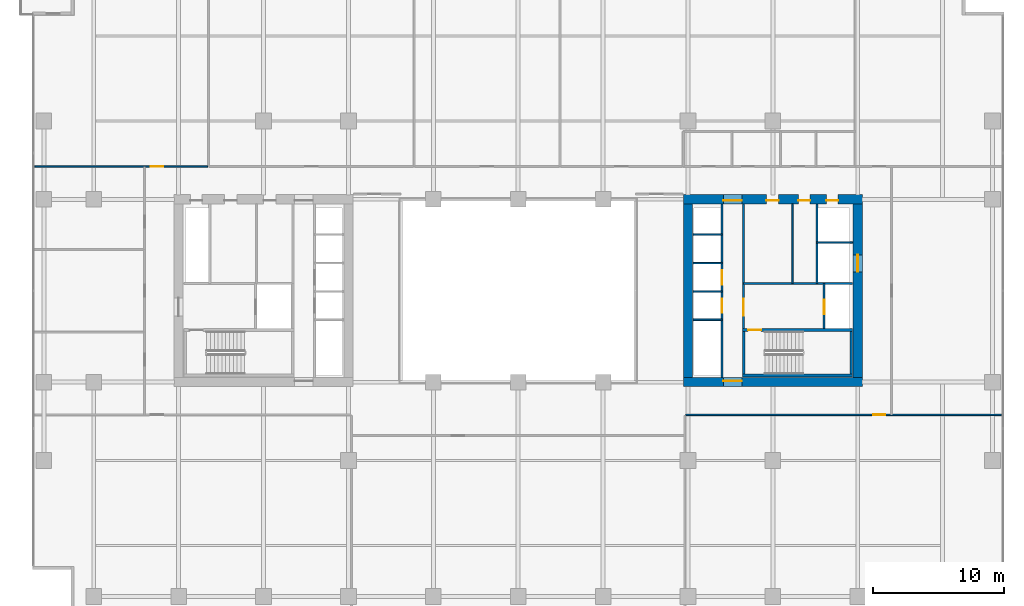
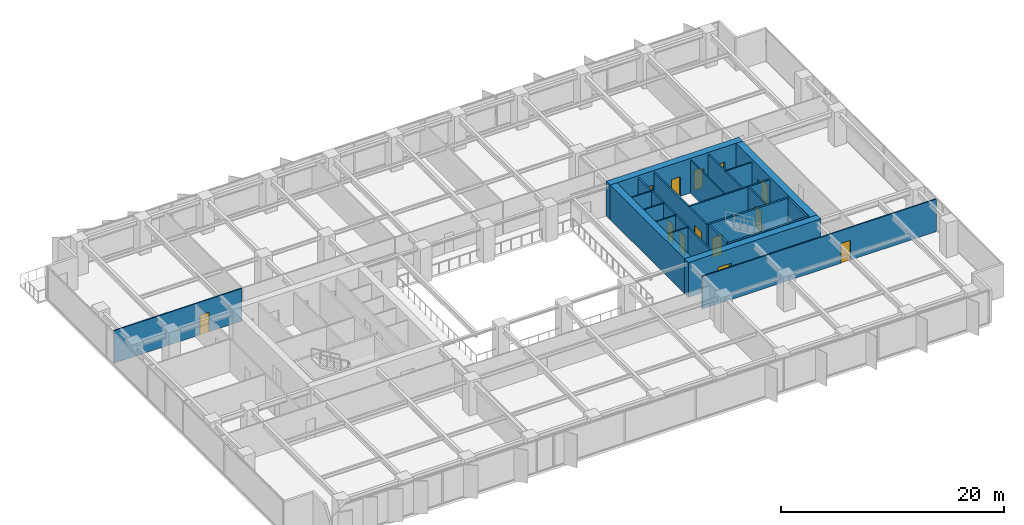
# One storey, part 14 of 20: 21 walls, 13 doors, 13 openings.
"""IFC4 building model written with IfcOpenShell, lengths in metres."""

from ifc_helpers import new_model, si_unit, direction, frame, frame_2d, origin, place, context, subcontext, project, spatial, rectangle, extrude, material, layer, layer_set, type_object, element, fill, save


model = new_model("IFC4")

# Units and contexts
model_context = context("Model", 3, precision=1e-05, world=origin(), true_north=direction((0.0, 1.0)))
body_context = subcontext(model_context, "Body", "Model", "MODEL_VIEW")
ifc_project = project(units=[si_unit("LENGTHUNIT", "METRE"), si_unit("AREAUNIT", "SQUARE_METRE"), si_unit("VOLUMEUNIT", "CUBIC_METRE"), si_unit("PLANEANGLEUNIT", "RADIAN"), si_unit("MASSUNIT", "GRAM", prefix="KILO")], contexts=[model_context])

# Site, building, storey
site_placement = place(None, origin())
site = spatial("IfcSite", under=ifc_project, at=site_placement, CompositionType="ELEMENT")
building_placement = place(site_placement, origin())
building = spatial("IfcBuilding", under=site, at=building_placement, Name="Putna Gate Headquarters", CompositionType="ELEMENT")
storey_placement = place(building_placement, frame((0.0, 0.0, 89.800048828125)))
storey = spatial("IfcBuildingStorey", under=building, at=storey_placement, Name="L21", CompositionType="ELEMENT", Elevation=89.800048828125)

# Wall, opening, door
ifc_material_1 = material(Name="Concrete C60/75", Category="concrete")
ifc_layer_1 = layer(ifc_material_1, 0.699951171875)
ifc_layer_set_1 = layer_set([ifc_layer_1], Name="Concrete C60/75")
wall_type_1 = type_object("IfcWallType", Name="WALL-CORE-700", PredefinedType="SHEAR", material=ifc_layer_set_1)
wall_1_placement = place(storey_placement, frame((51.64990234375, 19.0, 0.0), z_axis=(0.0, 0.0, 1.0), x_axis=(1.0, 0.0, 0.0)))
wall_1 = element("IfcWall", 1, at=wall_1_placement, inside=storey, type_object=wall_type_1, Name="L21 EC Split Core Shear Wall S", PredefinedType="SHEAR", context=body_context, shape_type="SweptSolid", body=[
    extrude(rectangle(XDim=13.7001953125, YDim=0.699951171875, at=frame_2d((6.85009765625, 0.0))), origin(), (0.0, 0.0, 1.0), 3.800048828125),
])
opening_1_placement = place(wall_1_placement, frame((3.070068359375, 0.0, 0.0)))
opening_1 = element("IfcOpeningElement", 2, at=opening_1_placement, cuts=wall_1, Name="Opening FDD-140", PredefinedType="OPENING", context=body_context, shape_type="SweptSolid", body=[
    extrude(rectangle(XDim=1.39990234375, YDim=2.199951171875, at=frame_2d((0.699951171875, 1.10009765625))), frame((0.0, 0.35986328125, 0.0), z_axis=(0.0, -1.0, 0.0), x_axis=(1.0, 0.0, 0.0)), (0.0, 0.0, 1.0), 0.719970703125),
])
ifc_material_2 = material(Name="Double steel fire door", Category="steel")
door_type_1 = type_object("IfcDoorType", Name="DOOR-FIRE-DBL-1400", OperationType="DOUBLE_DOOR_SINGLE_SWING", PredefinedType="DOOR", material=ifc_material_2)
door_1_placement = place(opening_1_placement, origin())
door_1 = element("IfcDoor", 3, at=door_1_placement, inside=storey, type_object=door_type_1, Name="L21 East Lift Lobby South Door", OperationType="DOUBLE_DOOR_SINGLE_SWING", OverallHeight=2.199951171875, OverallWidth=1.39990234375, PredefinedType="DOOR", context=body_context, shape_type="SweptSolid", body=[
    extrude(rectangle(XDim=1.39990234375, YDim=2.199951171875, at=frame_2d((0.699951171875, 1.10009765625))), frame((0.0, 0.125, 0.0), z_axis=(0.0, -1.0, 0.0), x_axis=(1.0, 0.0, 0.0)), (0.0, 0.0, 1.0), 0.050048828125),
])
fill(opening_1, door_1)

# Wall, openings, doors
wall_2_placement = place(storey_placement, frame((51.64990234375, 33.0, 0.0), z_axis=(0.0, 0.0, 1.0), x_axis=(1.0, 0.0, 0.0)))
wall_2 = element("IfcWall", 4, at=wall_2_placement, inside=storey, type_object=wall_type_1, Name="L21 EC Split Core Shear Wall N", PredefinedType="SHEAR", context=body_context, shape_type="SweptSolid", body=[
    extrude(rectangle(XDim=13.7001953125, YDim=0.699951171875, at=frame_2d((6.85009765625, 0.0))), origin(), (0.0, 0.0, 1.0), 3.800048828125),
])
opening_2_placement = place(wall_2_placement, frame((3.070068359375, 0.0, 0.0)))
opening_2 = element("IfcOpeningElement", 5, at=opening_2_placement, cuts=wall_2, Name="Opening FDD-140", PredefinedType="OPENING", context=body_context, shape_type="SweptSolid", body=[
    extrude(rectangle(XDim=1.39990234375, YDim=2.199951171875, at=frame_2d((0.699951171875, 1.10009765625))), frame((0.0, 0.35986328125, 0.0), z_axis=(0.0, -1.0, 0.0), x_axis=(1.0, 0.0, 0.0)), (0.0, 0.0, 1.0), 0.719970703125),
])
opening_3_placement = place(wall_2_placement, frame((10.949951171875, 0.0, 0.0)))
opening_3 = element("IfcOpeningElement", 6, at=opening_3_placement, cuts=wall_2, Name="Opening RD-90", PredefinedType="OPENING", context=body_context, shape_type="SweptSolid", body=[
    extrude(rectangle(XDim=0.89990234375, YDim=2.14990234375, at=frame_2d((0.449951171875, 1.074951171875))), frame((0.0, 0.35986328125, 0.0), z_axis=(0.0, -1.0, 0.0), x_axis=(1.0, 0.0, 0.0)), (0.0, 0.0, 1.0), 0.719970703125),
])
opening_4_placement = place(wall_2_placement, frame((6.35009765625, 0.0, 0.0)))
opening_4 = element("IfcOpeningElement", 7, at=opening_4_placement, cuts=wall_2, Name="Opening IDS-95", PredefinedType="OPENING", context=body_context, shape_type="SweptSolid", body=[
    extrude(rectangle(XDim=0.949951171875, YDim=2.14990234375, at=frame_2d((0.47509765625, 1.074951171875))), frame((0.0, 0.35986328125, 0.0), z_axis=(0.0, -1.0, 0.0), x_axis=(1.0, 0.0, 0.0)), (0.0, 0.0, 1.0), 0.719970703125),
])
opening_5_placement = place(wall_2_placement, frame((8.800048828125, 0.0, 0.0)))
opening_5 = element("IfcOpeningElement", 8, at=opening_5_placement, cuts=wall_2, Name="Opening IDS-90", PredefinedType="OPENING", context=body_context, shape_type="SweptSolid", body=[
    extrude(rectangle(XDim=0.89990234375, YDim=2.14990234375, at=frame_2d((0.449951171875, 1.074951171875))), frame((0.0, 0.35986328125, 0.0), z_axis=(0.0, -1.0, 0.0), x_axis=(1.0, 0.0, 0.0)), (0.0, 0.0, 1.0), 0.719970703125),
])
door_2_placement = place(opening_2_placement, origin())
door_2 = element("IfcDoor", 9, at=door_2_placement, inside=storey, type_object=door_type_1, Name="L21 East Lift Lobby North Door", OperationType="DOUBLE_DOOR_SINGLE_SWING", OverallHeight=2.199951171875, OverallWidth=1.39990234375, PredefinedType="DOOR", context=body_context, shape_type="SweptSolid", body=[
    extrude(rectangle(XDim=1.39990234375, YDim=2.199951171875, at=frame_2d((0.699951171875, 1.10009765625))), frame((0.0, -0.0751953125, 0.0), z_axis=(0.0, -1.0, 0.0), x_axis=(1.0, 0.0, 0.0)), (0.0, 0.0, 1.0), 0.050048828125),
])
fill(opening_2, door_2)
ifc_material_3 = material(Name="Fire-rated utility door")
door_type_2 = type_object("IfcDoorType", Name="DOOR-INT-900", OperationType="NOTDEFINED", PredefinedType="DOOR", material=ifc_material_3)
door_3_placement = place(opening_5_placement, origin())
door_3 = element("IfcDoor", 10, at=door_3_placement, inside=storey, type_object=door_type_2, Name="L21 Electrical Plant Door", OperationType="SINGLE_SWING_LEFT", OverallHeight=2.14990234375, OverallWidth=0.89990234375, PredefinedType="DOOR", context=body_context, shape_type="SweptSolid", body=[
    extrude(rectangle(XDim=0.89990234375, YDim=2.14990234375, at=frame_2d((0.449951171875, 1.074951171875))), frame((0.0, -0.0751953125, 0.0), z_axis=(0.0, -1.0, 0.0), x_axis=(1.0, 0.0, 0.0)), (0.0, 0.0, 1.0), 0.050048828125),
])
fill(opening_5, door_3)
ifc_material_4 = material(Name="Fire-rated service timber door", Category="wood")
door_type_3 = type_object("IfcDoorType", Name="DOOR-INT-950", OperationType="NOTDEFINED", PredefinedType="DOOR", material=ifc_material_4)
door_4_placement = place(opening_4_placement, origin())
door_4 = element("IfcDoor", 11, at=door_4_placement, inside=storey, type_object=door_type_3, Name="L21 East Store Door", OperationType="SINGLE_SWING_RIGHT", OverallHeight=2.14990234375, OverallWidth=0.949951171875, PredefinedType="DOOR", context=body_context, shape_type="SweptSolid", body=[
    extrude(rectangle(XDim=0.949951171875, YDim=2.14990234375, at=frame_2d((0.47509765625, 1.074951171875))), frame((0.0, -0.0751953125, 0.0), z_axis=(0.0, -1.0, 0.0), x_axis=(1.0, 0.0, 0.0)), (0.0, 0.0, 1.0), 0.050048828125),
])
fill(opening_4, door_4)
ifc_material_5 = material(Name="Steel riser access fire door", Category="steel")
door_type_4 = type_object("IfcDoorType", Name="DOOR-RISER-900", OperationType="NOTDEFINED", PredefinedType="DOOR", material=ifc_material_5)
door_5_placement = place(opening_3_placement, origin())
door_5 = element("IfcDoor", 12, at=door_5_placement, inside=storey, type_object=door_type_4, Name="L21 East Riser Access Door", OperationType="SINGLE_SWING_LEFT", OverallHeight=2.14990234375, OverallWidth=0.89990234375, PredefinedType="DOOR", context=body_context, shape_type="SweptSolid", body=[
    extrude(rectangle(XDim=0.89990234375, YDim=2.14990234375, at=frame_2d((0.449951171875, 1.074951171875))), frame((0.0, -0.0751953125, 0.0), z_axis=(0.0, -1.0, 0.0), x_axis=(1.0, 0.0, 0.0)), (0.0, 0.0, 1.0), 0.050048828125),
])
fill(opening_3, door_5)

# Wall
wall_3_placement = place(storey_placement, frame((52.0, 19.35009765625, 0.0), z_axis=(0.0, 0.0, 1.0), x_axis=(0.0, 1.0, 0.0)))
element("IfcWall", 13, at=wall_3_placement, inside=storey, type_object=wall_type_1, Name="L21 EC Split Core Shear Wall W", PredefinedType="SHEAR", context=body_context, shape_type="SweptSolid", body=[
    extrude(rectangle(XDim=13.2998046875, YDim=0.699951171875, at=frame_2d((6.64990234375, 0.0))), origin(), (0.0, 0.0, 1.0), 3.800048828125),
])

# Wall, opening, door
wall_4_placement = place(storey_placement, frame((65.0, 19.35009765625, 0.0), z_axis=(0.0, 0.0, 1.0), x_axis=(0.0, 1.0, 0.0)))
wall_4 = element("IfcWall", 14, at=wall_4_placement, inside=storey, type_object=wall_type_1, Name="L21 EC Split Core Shear Wall E", PredefinedType="SHEAR", context=body_context, shape_type="SweptSolid", body=[
    extrude(rectangle(XDim=13.2998046875, YDim=0.699951171875, at=frame_2d((6.64990234375, 0.0))), origin(), (0.0, 0.0, 1.0), 3.800048828125),
])
opening_6_placement = place(wall_4_placement, frame((8.10009765625, 0.0, 0.0)))
opening_6 = element("IfcOpeningElement", 15, at=opening_6_placement, cuts=wall_4, Name="Opening LD-2", PredefinedType="OPENING", context=body_context, shape_type="SweptSolid", body=[
    extrude(rectangle(XDim=1.300048828125, YDim=2.199951171875, at=frame_2d((0.64990234375, 1.10009765625))), frame((0.0, 0.35986328125, 0.0), z_axis=(0.0, -1.0, 0.0), x_axis=(1.0, 0.0, 0.0)), (0.0, 0.0, 1.0), 0.719970703125),
])
ifc_material_6 = material(Name="Heavy-duty goods lift sliding landing door")
door_type_5 = type_object("IfcDoorType", Name="DOOR-LIFT-1300", OperationType="DOUBLE_DOOR_SLIDING", PredefinedType="DOOR", material=ifc_material_6)
door_6_placement = place(opening_6_placement, origin())
door_6 = element("IfcDoor", 16, at=door_6_placement, inside=storey, type_object=door_type_5, Name="L21 Goods Lift Landing Door LD-15", OperationType="DOUBLE_DOOR_SLIDING", OverallHeight=2.199951171875, OverallWidth=1.300048828125, PredefinedType="DOOR", context=body_context, shape_type="SweptSolid", body=[
    extrude(rectangle(XDim=1.300048828125, YDim=2.199951171875, at=frame_2d((0.64990234375, 1.10009765625))), frame((0.0, 0.02490234375, 0.0), z_axis=(0.0, -1.0, 0.0), x_axis=(1.0, 0.0, 0.0)), (0.0, 0.0, 1.0), 0.050048828125),
])
fill(opening_6, door_6)

# Walls
ifc_material_7 = material(Name="Fire-rated shaftwall gypsum board on metal stud")
ifc_layer_2 = layer(ifc_material_7, 0.1201171875)
ifc_layer_set_2 = layer_set([ifc_layer_2], Name="Fire-rated shaftwall gypsum board on metal stud")
wall_type_2 = type_object("IfcWallType", Name="WALL-PART-120-EI120", PredefinedType="PARTITIONING", material=ifc_layer_set_2)
for number, where, z_axis, x_axis, name in (
    (17, (52.39990234375, 23.780029296875, 0.0), (0.0, 0.0, 1.0), (1.0, 0.0, 0.0), "L21 Interior Wall CWINT-L21-EC-LF04-DIV"),
    (18, (52.39990234375, 25.949951171875, 0.0), (0.0, 0.0, 1.0), (1.0, 0.0, 0.0), "L21 Interior Wall CWINT-L21-EC-LF07-DIV"),
    (19, (52.39990234375, 28.1201171875, 0.0), (0.0, 0.0, 1.0), (1.0, 0.0, 0.0), "L21 Interior Wall CWINT-L21-EC-LF08-DIV"),
    (20, (52.39990234375, 30.31005859375, 0.0), (0.0, 0.0, 1.0), (1.0, 0.0, 0.0), "L21 Interior Wall CWINT-L21-EC-LF11-DIV"),
):
    element("IfcWall", number, at=place(storey_placement, frame(where, z_axis=z_axis, x_axis=x_axis)), inside=storey, type_object=wall_type_2, Name=name, PredefinedType="PARTITIONING", context=body_context, shape_type="SweptSolid", body=[
        extrude(rectangle(XDim=2.2001953125, YDim=0.1201171875, at=frame_2d((1.10009765625, 0.0))), origin(), (0.0, 0.0, 1.0), 3.56494140625),
    ])
wall_5_placement = place(storey_placement, frame((61.8701171875, 29.699951171875, 0.0), z_axis=(0.0, 0.0, 1.0), x_axis=(1.0, 0.0, 0.0)))
element("IfcWall", 21, at=wall_5_placement, inside=storey, type_object=wall_type_2, Name="L21 Interior Wall CWINT-L21-EC-LF15-N", PredefinedType="PARTITIONING", context=body_context, shape_type="SweptSolid", body=[
    extrude(rectangle(XDim=2.72998046875, YDim=0.1201171875, at=frame_2d((1.364990234375, 0.0))), origin(), (0.0, 0.0, 1.0), 3.56494140625),
])
ifc_material_8 = material(Name="Fire-rated gypsum board on metal stud")
ifc_layer_3 = layer(ifc_material_8, 0.1201171875)
ifc_layer_set_3 = layer_set([ifc_layer_3], Name="Fire-rated gypsum board on metal stud")
wall_type_3 = type_object("IfcWallType", Name="WALL-PART-120-RATED", PredefinedType="PARTITIONING", material=ifc_layer_set_3)
wall_6_placement = place(storey_placement, frame((60.02001953125, 26.56005859375, 0.0), z_axis=(0.0, 0.0, 1.0), x_axis=(0.0, 1.0, 0.0)))
element("IfcWall", 22, at=wall_6_placement, inside=storey, type_object=wall_type_3, Name="L21 Interior Wall CWINT-L21-EC-K0-DIV", PredefinedType="PARTITIONING", context=body_context, shape_type="SweptSolid", body=[
    extrude(rectangle(XDim=6.08984375, YDim=0.1201171875, at=frame_2d((3.044921875, 0.0))), origin(), (0.0, 0.0, 1.0), 3.56494140625),
])

# Wall, opening, door
wall_7_placement = place(storey_placement, frame((1.97998046875, 35.5, 0.0), z_axis=(0.0, 0.0, 1.0), x_axis=(1.0, 0.0, 0.0)))
wall_7 = element("IfcWall", 23, at=wall_7_placement, inside=storey, type_object=wall_type_3, Name="L21 Interior Wall PART-L21-NB-CW-01", PredefinedType="PARTITIONING", context=body_context, shape_type="SweptSolid", body=[
    extrude(rectangle(XDim=13.2373046875, YDim=0.1201171875, at=frame_2d((6.61865234375, 0.0))), origin(), (0.0, 0.0, 1.0), 3.56494140625),
])
opening_7_placement = place(wall_7_placement, frame((8.89990234375, 0.0, 0.0)))
opening_7 = element("IfcOpeningElement", 24, at=opening_7_placement, cuts=wall_7, Name="Opening FD-95", PredefinedType="OPENING", context=body_context, shape_type="SweptSolid", body=[
    extrude(rectangle(XDim=0.949951171875, YDim=2.14990234375, at=frame_2d((0.47509765625, 1.074951171875))), frame((0.0, 0.070068359375, 0.0), z_axis=(0.0, -1.0, 0.0), x_axis=(1.0, 0.0, 0.0)), (0.0, 0.0, 1.0), 0.14013671875),
])
ifc_material_9 = material(Name="Acoustic timber fire door", Category="wood")
door_type_6 = type_object("IfcDoorType", Name="DOOR-FIRE-950", OperationType="NOTDEFINED", PredefinedType="DOOR", material=ifc_material_9)
door_7_placement = place(opening_7_placement, origin())
door_7 = element("IfcDoor", 25, at=door_7_placement, inside=storey, type_object=door_type_6, Name="L21 Conference Meeting Room 1 Door", OperationType="SINGLE_SWING_LEFT", OverallHeight=2.14990234375, OverallWidth=0.949951171875, PredefinedType="DOOR", context=body_context, shape_type="SweptSolid", body=[
    extrude(rectangle(XDim=0.949951171875, YDim=2.14990234375, at=frame_2d((0.47509765625, 1.074951171875))), frame((0.0, 0.02490234375, 0.0), z_axis=(0.0, -1.0, 0.0), x_axis=(1.0, 0.0, 0.0)), (0.0, 0.0, 1.0), 0.050048828125),
])
fill(opening_7, door_7)

wall_8_placement = place(storey_placement, frame((51.817138671875, 16.5, 0.0), z_axis=(0.0, 0.0, 1.0), x_axis=(1.0, 0.0, 0.0)))
wall_8 = element("IfcWall", 26, at=wall_8_placement, inside=storey, type_object=wall_type_3, Name="L21 Interior Wall PART-L21-SB-CW-03", PredefinedType="PARTITIONING", context=body_context, shape_type="SweptSolid", body=[
    extrude(rectangle(XDim=24.202880859375, YDim=0.1201171875, at=frame_2d((12.1015625, 0.0))), origin(), (0.0, 0.0, 1.0), 3.56494140625),
])
opening_8_placement = place(wall_8_placement, frame((14.352783203125, 0.0, 0.0)))
opening_8 = element("IfcOpeningElement", 27, at=opening_8_placement, cuts=wall_8, Name="Opening FD-95", PredefinedType="OPENING", context=body_context, shape_type="SweptSolid", body=[
    extrude(rectangle(XDim=0.949951171875, YDim=2.14990234375, at=frame_2d((0.47509765625, 1.074951171875))), frame((0.0, 0.070068359375, 0.0), z_axis=(0.0, -1.0, 0.0), x_axis=(1.0, 0.0, 0.0)), (0.0, 0.0, 1.0), 0.14013671875),
])
door_8_placement = place(opening_8_placement, origin())
door_8 = element("IfcDoor", 28, at=door_8_placement, inside=storey, type_object=door_type_6, Name="L21 Collaborative Breakout Lounge 3 Door", OperationType="SINGLE_SWING_RIGHT", OverallHeight=2.14990234375, OverallWidth=0.949951171875, PredefinedType="DOOR", context=body_context, shape_type="SweptSolid", body=[
    extrude(rectangle(XDim=0.949951171875, YDim=2.14990234375, at=frame_2d((0.47509765625, 1.074951171875))), frame((0.0, 0.02490234375, 0.0), z_axis=(0.0, -1.0, 0.0), x_axis=(1.0, 0.0, 0.0)), (0.0, 0.0, 1.0), 0.050048828125),
])
fill(opening_8, door_8)

# Wall, openings, doors
ifc_material_10 = material(Name="Concrete C40/50", Category="concrete")
ifc_layer_4 = layer(ifc_material_10, 0.159912109375)
ifc_layer_set_4 = layer_set([ifc_layer_4], Name="Concrete C40/50")
wall_type_4 = type_object("IfcWallType", Name="WALL-SHAFT-160", PredefinedType="STANDARD", material=ifc_layer_set_4)
wall_9_placement = place(storey_placement, frame((54.60009765625, 19.35009765625, 0.0), z_axis=(0.0, 0.0, 1.0), x_axis=(0.0, 1.0, 0.0)))
wall_9 = element("IfcWall", 29, at=wall_9_placement, inside=storey, type_object=wall_type_4, Name="L21 Interior Wall CWINT-L21-EC-PL-WALL", PredefinedType="STANDARD", context=body_context, shape_type="SweptSolid", body=[
    extrude(rectangle(XDim=13.2998046875, YDim=0.159912109375, at=frame_2d((6.64990234375, 0.0))), origin(), (0.0, 0.0, 1.0), 3.56494140625),
])
opening_9_placement = place(wall_9_placement, frame((4.949951171875, 0.0, 0.0)))
opening_9 = element("IfcOpeningElement", 30, at=opening_9_placement, cuts=wall_9, Name="Opening LD-1", PredefinedType="OPENING", context=body_context, shape_type="SweptSolid", body=[
    extrude(rectangle(XDim=1.10009765625, YDim=2.199951171875, at=frame_2d((0.550048828125, 1.10009765625))), frame((0.0, 0.08984375, 0.0), z_axis=(0.0, -1.0, 0.0), x_axis=(1.0, 0.0, 0.0)), (0.0, 0.0, 1.0), 0.179931640625),
])
opening_10_placement = place(wall_9_placement, frame((7.10009765625, 0.0, 0.0)))
opening_10 = element("IfcOpeningElement", 31, at=opening_10_placement, cuts=wall_9, Name="Opening LD-1", PredefinedType="OPENING", context=body_context, shape_type="SweptSolid", body=[
    extrude(rectangle(XDim=1.10009765625, YDim=2.199951171875, at=frame_2d((0.550048828125, 1.10009765625))), frame((0.0, 0.08984375, 0.0), z_axis=(0.0, -1.0, 0.0), x_axis=(1.0, 0.0, 0.0)), (0.0, 0.0, 1.0), 0.179931640625),
])
ifc_material_11 = material(Name="Brushed bronze stainless lift landing door")
door_type_7 = type_object("IfcDoorType", Name="DOOR-LIFT-1100", OperationType="DOUBLE_DOOR_SLIDING", PredefinedType="DOOR", material=ifc_material_11)
door_9_placement = place(opening_9_placement, origin())
door_9 = element("IfcDoor", 32, at=door_9_placement, inside=storey, type_object=door_type_7, Name="L21 Lift Landing Door LD-07", OperationType="DOUBLE_DOOR_SLIDING", OverallHeight=2.199951171875, OverallWidth=1.10009765625, PredefinedType="DOOR", context=body_context, shape_type="SweptSolid", body=[
    extrude(rectangle(XDim=1.10009765625, YDim=2.199951171875, at=frame_2d((0.550048828125, 1.10009765625))), frame((0.0, 0.02490234375, 0.0), z_axis=(0.0, -1.0, 0.0), x_axis=(1.0, 0.0, 0.0)), (0.0, 0.0, 1.0), 0.050048828125),
])
fill(opening_9, door_9)
door_10_placement = place(opening_10_placement, origin())
door_10 = element("IfcDoor", 33, at=door_10_placement, inside=storey, type_object=door_type_7, Name="L21 Lift Landing Door LD-08", OperationType="DOUBLE_DOOR_SLIDING", OverallHeight=2.199951171875, OverallWidth=1.10009765625, PredefinedType="DOOR", context=body_context, shape_type="SweptSolid", body=[
    extrude(rectangle(XDim=1.10009765625, YDim=2.199951171875, at=frame_2d((0.550048828125, 1.10009765625))), frame((0.0, 0.02490234375, 0.0), z_axis=(0.0, -1.0, 0.0), x_axis=(1.0, 0.0, 0.0)), (0.0, 0.0, 1.0), 0.050048828125),
])
fill(opening_10, door_10)

# Wall, opening, door
wall_10_placement = place(storey_placement, frame((56.260009765625, 23.090087890625, 0.0), z_axis=(0.0, 0.0, 1.0), x_axis=(0.0, 1.0, 0.0)))
wall_10 = element("IfcWall", 34, at=wall_10_placement, inside=storey, type_object=wall_type_4, Name="L21 Interior Wall CWINT-L21-EC-LOB-E", PredefinedType="STANDARD", context=body_context, shape_type="SweptSolid", body=[
    extrude(rectangle(XDim=9.559814453125, YDim=0.159912109375, at=frame_2d((4.77978515625, 0.0))), origin(), (0.0, 0.0, 1.0), 3.56494140625),
])
opening_11_placement = place(wall_10_placement, frame((1.010009765625, 0.0, 0.0)))
opening_11 = element("IfcOpeningElement", 35, at=opening_11_placement, cuts=wall_10, Name="Opening FDD-130", PredefinedType="OPENING", context=body_context, shape_type="SweptSolid", body=[
    extrude(rectangle(XDim=1.300048828125, YDim=2.199951171875, at=frame_2d((0.64990234375, 1.10009765625))), frame((0.0, 0.08984375, 0.0), z_axis=(0.0, -1.0, 0.0), x_axis=(1.0, 0.0, 0.0)), (0.0, 0.0, 1.0), 0.179931640625),
])
ifc_material_12 = material(Name="Double steel lobby fire door", Category="steel")
door_type_8 = type_object("IfcDoorType", Name="DOOR-FIRE-DBL-1300", OperationType="DOUBLE_DOOR_SINGLE_SWING", PredefinedType="DOOR", material=ifc_material_12)
door_11_placement = place(opening_11_placement, origin())
door_11 = element("IfcDoor", 36, at=door_11_placement, inside=storey, type_object=door_type_8, Name="L21 East Firefighting Lobby Door", OperationType="DOUBLE_DOOR_SINGLE_SWING", OverallHeight=2.199951171875, OverallWidth=1.300048828125, PredefinedType="DOOR", context=body_context, shape_type="SweptSolid", body=[
    extrude(rectangle(XDim=1.300048828125, YDim=2.199951171875, at=frame_2d((0.64990234375, 1.10009765625))), frame((0.0, 0.02490234375, 0.0), z_axis=(0.0, -1.0, 0.0), x_axis=(1.0, 0.0, 0.0)), (0.0, 0.0, 1.0), 0.050048828125),
])
fill(opening_11, door_11)

wall_11_placement = place(storey_placement, frame((62.429931640625, 23.090087890625, 0.0), z_axis=(0.0, 0.0, 1.0), x_axis=(0.0, 1.0, 0.0)))
wall_11 = element("IfcWall", 37, at=wall_11_placement, inside=storey, type_object=wall_type_4, Name="L21 Interior Wall CWINT-L21-EC-LF14-W", PredefinedType="STANDARD", context=body_context, shape_type="SweptSolid", body=[
    extrude(rectangle(XDim=3.469970703125, YDim=0.159912109375, at=frame_2d((1.73486328125, 0.0))), origin(), (0.0, 0.0, 1.0), 3.56494140625),
])
opening_12_placement = place(wall_11_placement, frame((1.10009765625, 0.0, 0.0)))
opening_12 = element("IfcOpeningElement", 38, at=opening_12_placement, cuts=wall_11, Name="Opening LD-1", PredefinedType="OPENING", context=body_context, shape_type="SweptSolid", body=[
    extrude(rectangle(XDim=1.10009765625, YDim=2.199951171875, at=frame_2d((0.550048828125, 1.10009765625))), frame((0.0, 0.08984375, 0.0), z_axis=(0.0, -1.0, 0.0), x_axis=(1.0, 0.0, 0.0)), (0.0, 0.0, 1.0), 0.179931640625),
])
door_12_placement = place(opening_12_placement, origin())
door_12 = element("IfcDoor", 39, at=door_12_placement, inside=storey, type_object=door_type_7, Name="L21 Lift Landing Door LD-14", OperationType="DOUBLE_DOOR_SLIDING", OverallHeight=2.199951171875, OverallWidth=1.10009765625, PredefinedType="DOOR", context=body_context, shape_type="SweptSolid", body=[
    extrude(rectangle(XDim=1.10009765625, YDim=2.199951171875, at=frame_2d((0.550048828125, 1.10009765625))), frame((0.0, 0.02490234375, 0.0), z_axis=(0.0, -1.0, 0.0), x_axis=(1.0, 0.0, 0.0)), (0.0, 0.0, 1.0), 0.050048828125),
])
fill(opening_12, door_12)

# Walls
wall_12_placement = place(storey_placement, frame((56.260009765625, 26.56005859375, 0.0), z_axis=(0.0, 0.0, 1.0), x_axis=(1.0, 0.0, 0.0)))
element("IfcWall", 40, at=wall_12_placement, inside=storey, type_object=wall_type_4, Name="L21 Interior Wall CWINT-L21-EC-FFL-N", PredefinedType="STANDARD", context=body_context, shape_type="SweptSolid", body=[
    extrude(rectangle(XDim=8.340087890625, YDim=0.159912109375, at=frame_2d((4.169921875, 0.0))), origin(), (0.0, 0.0, 1.0), 3.56494140625),
])
wall_13_placement = place(storey_placement, frame((61.8701171875, 26.56005859375, 0.0), z_axis=(0.0, 0.0, 1.0), x_axis=(0.0, 1.0, 0.0)))
element("IfcWall", 41, at=wall_13_placement, inside=storey, type_object=wall_type_4, Name="L21 Interior Wall CWINT-L21-EC-LF15-W", PredefinedType="STANDARD", context=body_context, shape_type="SweptSolid", body=[
    extrude(rectangle(XDim=6.08984375, YDim=0.159912109375, at=frame_2d((3.044921875, 0.0))), origin(), (0.0, 0.0, 1.0), 3.56494140625),
])
ifc_layer_5 = layer(ifc_material_10, 0.199951171875)
ifc_layer_set_5 = layer_set([ifc_layer_5], Name="Concrete C40/50")
wall_type_5 = type_object("IfcWallType", Name="WALL-SHAFT-RC200", PredefinedType="SHEAR", material=ifc_layer_set_5)
wall_14_placement = place(storey_placement, frame((56.159912109375, 19.510009765625, 0.0), z_axis=(0.0, 0.0, 1.0), x_axis=(1.0, 0.0, 0.0)))
element("IfcWall", 42, at=wall_14_placement, inside=storey, type_object=wall_type_5, Name="L21 Stair ST2 Structural Shaft Wall S", PredefinedType="SHEAR", context=body_context, shape_type="SweptSolid", body=[
    extrude(rectangle(XDim=8.43017578125, YDim=0.199951171875, at=frame_2d((4.215087890625, 0.0))), origin(), (0.0, 0.0, 1.0), 3.800048828125),
])

# Wall, opening, door
wall_15_placement = place(storey_placement, frame((56.159912109375, 22.989990234375, 0.0), z_axis=(0.0, 0.0, 1.0), x_axis=(1.0, 0.0, 0.0)))
wall_15 = element("IfcWall", 43, at=wall_15_placement, inside=storey, type_object=wall_type_5, Name="L21 Stair ST2 Structural Shaft Wall N", PredefinedType="SHEAR", context=body_context, shape_type="SweptSolid", body=[
    extrude(rectangle(XDim=8.43017578125, YDim=0.199951171875, at=frame_2d((4.215087890625, 0.0))), origin(), (0.0, 0.0, 1.0), 3.800048828125),
])
opening_13_placement = place(wall_15_placement, frame((0.449951171875, 0.0, 0.0)))
opening_13 = element("IfcOpeningElement", 44, at=opening_13_placement, cuts=wall_15, Name="Opening FD-100", PredefinedType="OPENING", context=body_context, shape_type="SweptSolid", body=[
    extrude(rectangle(XDim=1.0, YDim=2.14990234375, at=frame_2d((0.5, 1.074951171875))), frame((0.0, 0.10986328125, 0.0), z_axis=(0.0, -1.0, 0.0), x_axis=(1.0, 0.0, 0.0)), (0.0, 0.0, 1.0), 0.219970703125),
])
ifc_material_13 = material(Name="Powder-coated steel fire door", Category="steel")
door_type_9 = type_object("IfcDoorType", Name="DOOR-FIRE-1000", OperationType="NOTDEFINED", PredefinedType="DOOR", material=ifc_material_13)
door_13_placement = place(opening_13_placement, origin())
door_13 = element("IfcDoor", 45, at=door_13_placement, inside=storey, type_object=door_type_9, Name="L21 Stair ST2 Fire Door", OperationType="SINGLE_SWING_RIGHT", OverallHeight=2.14990234375, OverallWidth=1.0, PredefinedType="DOOR", context=body_context, shape_type="SweptSolid", body=[
    extrude(rectangle(XDim=1.0, YDim=2.14990234375, at=frame_2d((0.5, 1.074951171875))), frame((0.0, 0.02490234375, 0.0), z_axis=(0.0, -1.0, 0.0), x_axis=(1.0, 0.0, 0.0)), (0.0, 0.0, 1.0), 0.050048828125),
])
fill(opening_13, door_13)

# Walls
for number, where, z_axis, x_axis, name in (
    (46, (56.260009765625, 19.610107421875, 0.0), (0.0, 0.0, 1.0), (0.0, 1.0, 0.0), "L21 Stair ST2 Structural Shaft Wall W"),
    (47, (64.489990234375, 19.610107421875, 0.0), (0.0, 0.0, 1.0), (0.0, 1.0, 0.0), "L21 Stair ST2 Structural Shaft Wall E"),
):
    element("IfcWall", number, at=place(storey_placement, frame(where, z_axis=z_axis, x_axis=x_axis)), inside=storey, type_object=wall_type_5, Name=name, PredefinedType="SHEAR", context=body_context, shape_type="SweptSolid", body=[
        extrude(rectangle(XDim=3.27978515625, YDim=0.199951171875, at=frame_2d((1.639892578125, 0.0))), origin(), (0.0, 0.0, 1.0), 3.800048828125),
    ])

save(model, "model.ifc")
